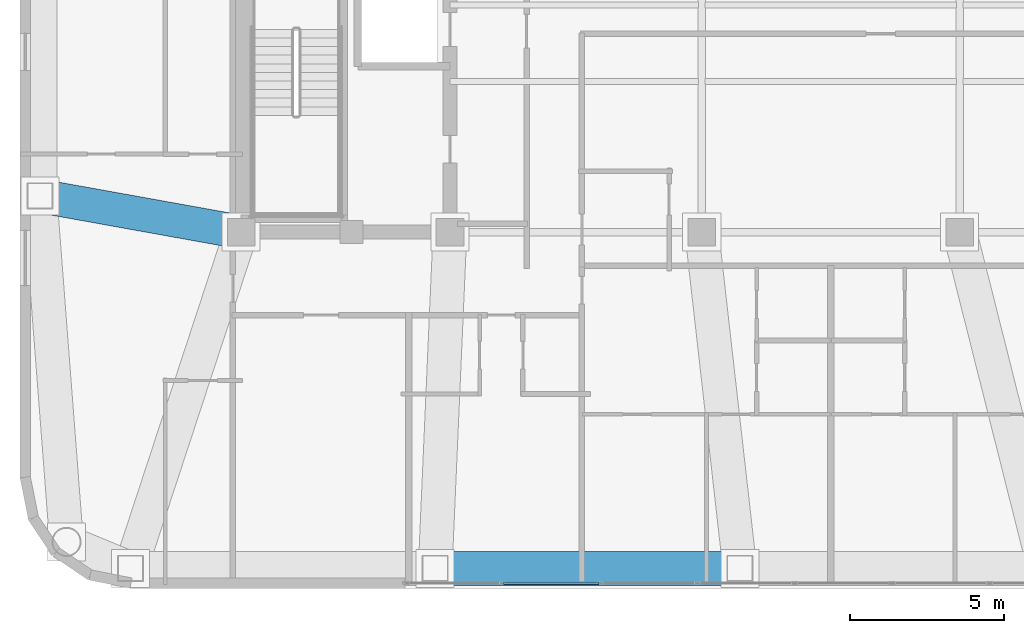
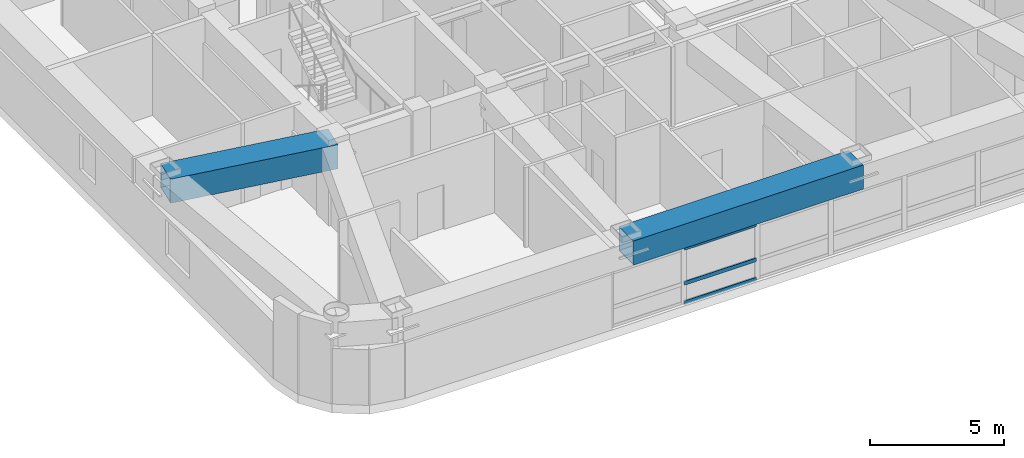
# One storey, part 3 of 16: 3 members, 2 beams, 1 element without a shape of its own.
"""IFC4 building model written with IfcOpenShell, lengths in metres."""

from ifc_helpers import new_model, si_unit, direction, frame, origin, origin_2d, place, context, subcontext, project, spatial, hollow_rectangle, extrude, material, layer, layer_set, material_profile, profile_set, type_object, element, aggregate, save


model = new_model("IFC4")

# Units and contexts
model_context = context("Model", 3, precision=1e-05, world=origin(), true_north=direction((0.0, 1.0)))
body_context = subcontext(model_context, "Body", "Model", "MODEL_VIEW")
ifc_project = project(units=[si_unit("LENGTHUNIT", "METRE"), si_unit("AREAUNIT", "SQUARE_METRE"), si_unit("VOLUMEUNIT", "CUBIC_METRE"), si_unit("PLANEANGLEUNIT", "RADIAN"), si_unit("MASSUNIT", "GRAM", prefix="KILO")], contexts=[model_context])

# Site, building, storey
site_placement = place(None, origin())
site = spatial("IfcSite", under=ifc_project, at=site_placement, CompositionType="ELEMENT")
building_placement = place(site_placement, origin())
building = spatial("IfcBuilding", under=site, at=building_placement, Name="Voryun Gate Residences", CompositionType="ELEMENT")
storey_placement = place(building_placement, frame((0.0, 0.0, 200.199951171875)))
storey = spatial("IfcBuildingStorey", under=building, at=storey_placement, Name="L49", CompositionType="ELEMENT", Elevation=200.199951171875)

# Beams
ifc_material_1 = material(Name="Steel SM420", Category="steel")
ifc_material_profile_1 = material_profile(ifc_material_1, hollow_rectangle(XDim=1.10009765625, YDim=1.10009765625, WallThickness=0.035888671875, at=origin_2d()), Name="BOX-1100x1100x36")
ifc_profile_set_1 = profile_set([ifc_material_profile_1], Name="Steel SM420")
beam_type = type_object("IfcBeamType", Name="BM_ARCH_RIB", PredefinedType="USERDEFINED", material=ifc_profile_set_1)
beam_1_placement = place(storey_placement, frame((-12.8798828125, -18.35009765625, 3.10009765625), z_axis=(1.0, 0.0, 0.0), x_axis=(0.0, 1.0, 0.0)))
element("IfcBeam", 1, at=beam_1_placement, inside=storey, type_object=beam_type, Name="BM-L49-SPAND-02", ObjectType="GIRDER", PredefinedType="USERDEFINED", context=body_context, shape_type="SweptSolid", body=[
    extrude(hollow_rectangle(XDim=1.10009765625, YDim=1.10009765625, WallThickness=0.035888671875, at=origin_2d()), origin(), (0.0, 0.0, 1.0), 9.919921875),
])
beam_2_placement = place(storey_placement, frame((-19.199951171875, -7.39990234375, 3.10009765625), z_axis=(-0.984210303638, 0.177003045773, 0.0), x_axis=(-0.177003045773, -0.984210303638, 0.0)))
element("IfcBeam", 2, at=beam_2_placement, inside=storey, type_object=beam_type, Name="BM-L49-RAD-W2", ObjectType="GIRDER", PredefinedType="USERDEFINED", context=body_context, shape_type="SweptSolid", body=[
    extrude(hollow_rectangle(XDim=1.10009765625, YDim=1.10009765625, WallThickness=0.035888671875, at=origin_2d()), origin(), (0.0, 0.0, 1.0), 6.655029296875),
])

# Curtain wall, members
ifc_material_2 = material(Name="Anodised aluminium", Category="aluminium")
ifc_layer = layer(ifc_material_2, 0.2099609375, Name="CW_SYS_SKYGARDEN_DARK_GLASS")
ifc_layer_set = layer_set([ifc_layer], Name="Anodised aluminium")
curtain_wall_type = type_object("IfcCurtainWallType", Name="CW_SYS_SKYGARDEN_DARK_GLASS", PredefinedType="NOTDEFINED", material=ifc_layer_set)
curtain_wall_placement = place(storey_placement, origin())
curtain_wall = element("IfcCurtainWall", 3, at=curtain_wall_placement, inside=storey, type_object=curtain_wall_type, Name="Curtain wall CW5-L49-SG-01", PredefinedType="NOTDEFINED")
ifc_material_3 = material(Name="Anodised aluminium", Category="aluminium")
ifc_material_profile_2 = material_profile(ifc_material_3, hollow_rectangle(XDim=0.074951171875, YDim=0.169921875, WallThickness=0.0048828125, at=origin_2d()), Name="ALU-TRAN-170x75x5")
ifc_profile_set_2 = profile_set([ifc_material_profile_2], Name="Anodised aluminium")
member_type = type_object("IfcMemberType", Name="CW_TRAN_SKY", PredefinedType="USERDEFINED", material=ifc_profile_set_2)
member_1_placement = place(storey_placement, frame((-7.546875, -18.830078125, 0.030029296875), z_axis=(-1.0, 0.0, 0.0), x_axis=(0.0, -1.0, 0.0)))
member_1 = element("IfcMember", 4, at=member_1_placement, type_object=member_type, Name="CW5 transom 9.1", ObjectType="TRANSOM", PredefinedType="USERDEFINED", context=body_context, shape_type="SweptSolid", body=[
    extrude(hollow_rectangle(XDim=0.074951171875, YDim=0.169921875, WallThickness=0.0048828125, at=origin_2d()), origin(), (0.0, 0.0, 1.0), 3.112060546875),
])
member_2_placement = place(storey_placement, frame((-7.546875, -18.830078125, 0.91455078125), z_axis=(-1.0, 0.0, 0.0), x_axis=(0.0, -1.0, 0.0)))
member_2 = element("IfcMember", 5, at=member_2_placement, type_object=member_type, Name="CW5 transom 9.2", ObjectType="TRANSOM", PredefinedType="USERDEFINED", context=body_context, shape_type="SweptSolid", body=[
    extrude(hollow_rectangle(XDim=0.074951171875, YDim=0.169921875, WallThickness=0.0048828125, at=origin_2d()), origin(), (0.0, 0.0, 1.0), 3.112060546875),
])
member_3_placement = place(storey_placement, frame((-7.546875, -18.830078125, 2.510009765625), z_axis=(-1.0, 0.0, 0.0), x_axis=(0.0, -1.0, 0.0)))
member_3 = element("IfcMember", 6, at=member_3_placement, type_object=member_type, Name="CW5 transom 9.3", ObjectType="TRANSOM", PredefinedType="USERDEFINED", context=body_context, shape_type="SweptSolid", body=[
    extrude(hollow_rectangle(XDim=0.074951171875, YDim=0.169921875, WallThickness=0.0048828125, at=origin_2d()), origin(), (0.0, 0.0, 1.0), 3.112060546875),
])
aggregate(curtain_wall, [member_1, member_2, member_3])

save(model, "model.ifc")
